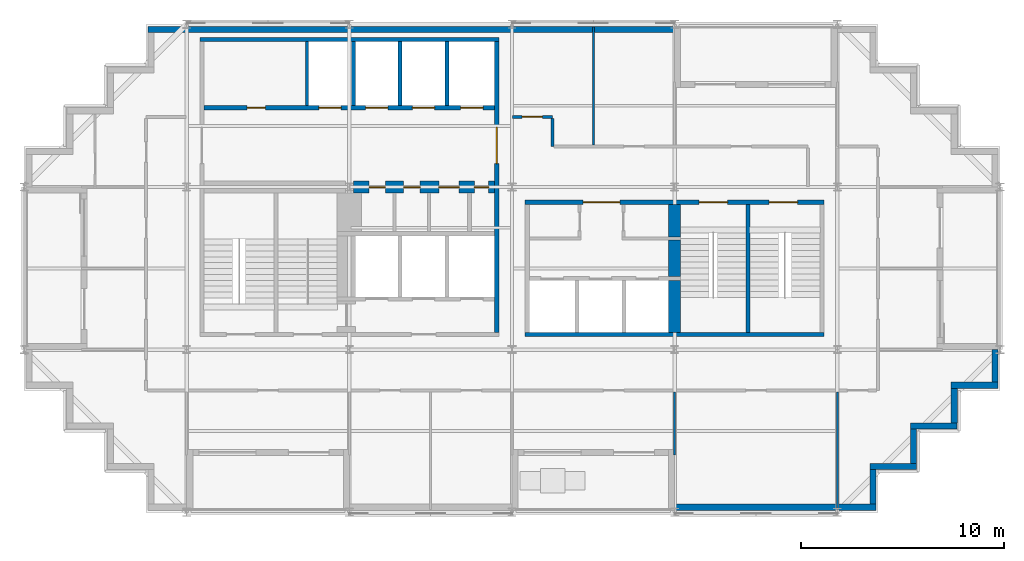
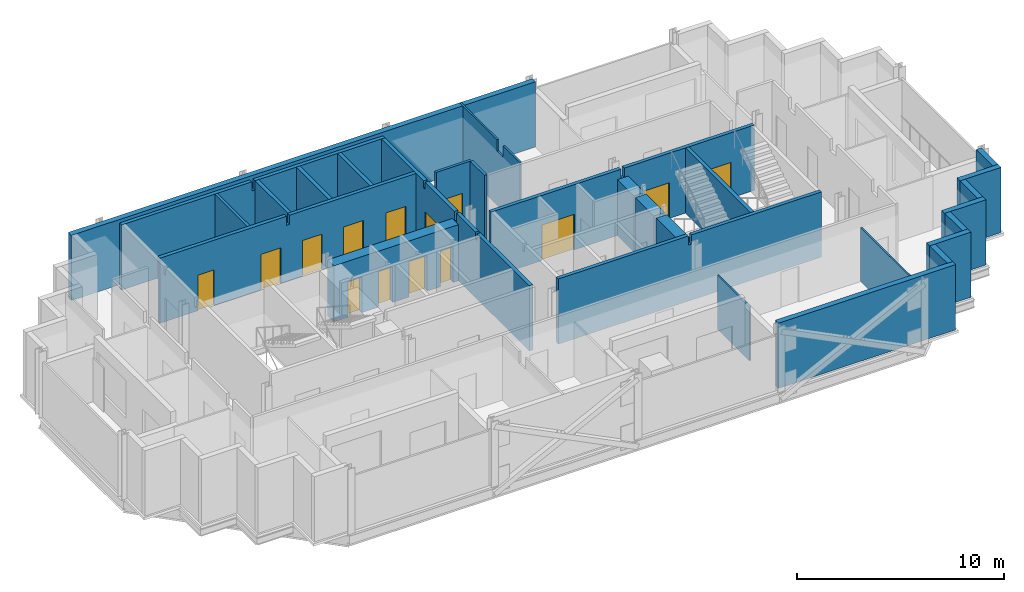
# One storey, part 6 of 10: 28 walls, 14 doors, 14 openings.
"""IFC4 building model written with IfcOpenShell, lengths in metres."""

import ifcopenshell
import ifcopenshell.guid

model = None  # the IFC model being written
_history = None  # IfcOwnerHistory: only IFC2X3 demands one
_inside = {}  # id of a spatial element -> (the spatial element, [elements in it])
_under = {}  # id of a project, library or spatial element -> (it, [spatial elements below it])
_declared = {}  # id of a project -> (the project, [libraries it declares])
_typed = {}  # id of a type object -> (the type object, [elements of that type])
_made_of = {}  # id of a material, layer set ... -> (it, [elements and type objects made of it])


def new_model(schema):
    """Start an empty IFC model of exactly this schema.

    Asked for "IFC4X3", IfcOpenShell would pick the latest addendum, in which some entities
    have other attributes; the version numbers below select the first issue.
    IFC2X3 requires an IfcOwnerHistory on every rooted entity: one is made here for all.
    """
    global model, _history
    if schema == "IFC4X3":
        model = ifcopenshell.file(schema_version=(4, 3, 0, 0))
    else:
        model = ifcopenshell.file(schema=schema)
    _inside.clear()
    _under.clear()
    _declared.clear()
    _typed.clear()
    _made_of.clear()
    _history = None
    if model.schema == "IFC2X3":
        org = make("IfcOrganization", Name="unknown")
        user = make(
            "IfcPersonAndOrganization",
            ThePerson=make("IfcPerson", FamilyName="unknown"),
            TheOrganization=org,
        )
        app = make(
            "IfcApplication",
            ApplicationDeveloper=org,
            Version="unknown",
            ApplicationFullName="unknown",
            ApplicationIdentifier="unknown",
        )
        _history = make(
            "IfcOwnerHistory",
            OwningUser=user,
            OwningApplication=app,
            ChangeAction="ADDED",
            CreationDate=0,
        )
    return model


def make(cls, **values):
    """One entity of the class cls with the attributes given. An attribute that is None is left unset."""
    return model.create_entity(
        cls, **{name: value for name, value in values.items() if value is not None}
    )


def rooted(cls, **values):
    """An entity with a GlobalId (a new one), such as an element, a storey or a relation."""
    return make(cls, GlobalId=ifcopenshell.guid.new(), OwnerHistory=_history, **values)


def si_unit(unit_type, name, prefix=None):
    """IfcSIUnit, for example si_unit("LENGTHUNIT", "METRE", prefix="MILLI")."""
    return make("IfcSIUnit", UnitType=unit_type, Prefix=prefix, Name=name)


def assignment(units):
    """IfcUnitAssignment: the units of a project."""
    return None if units is None else make("IfcUnitAssignment", Units=units)


def point(xyz):
    """IfcCartesianPoint."""
    return None if xyz is None else make("IfcCartesianPoint", Coordinates=xyz)


def direction(xyz):
    """IfcDirection."""
    return None if xyz is None else make("IfcDirection", DirectionRatios=xyz)


def frame(location, z_axis=None, x_axis=None):
    """IfcAxis2Placement3D, a coordinate frame: its origin and axes. An axis left out is left unset."""
    return make(
        "IfcAxis2Placement3D",
        Location=point(location),
        Axis=direction(z_axis),
        RefDirection=direction(x_axis),
    )


def frame_2d(location, x_axis=None):
    """IfcAxis2Placement2D, a coordinate frame in the plane: its origin and x axis."""
    return make(
        "IfcAxis2Placement2D", Location=point(location), RefDirection=direction(x_axis)
    )


def origin():
    """The frame at (0, 0, 0) with its axes left unset."""
    return frame((0.0, 0.0, 0.0))


def place(relative_to, where):
    """IfcLocalPlacement: puts the frame where relative to a parent placement (None: the world)."""
    return make(
        "IfcLocalPlacement", PlacementRelTo=relative_to, RelativePlacement=where
    )


def context(
    kind, dimensions, precision=None, world=None, true_north=None, identifier=None
):
    """IfcGeometricRepresentationContext, for example the 3D "Model" context."""
    return make(
        "IfcGeometricRepresentationContext",
        ContextIdentifier=identifier,
        ContextType=kind,
        CoordinateSpaceDimension=dimensions,
        Precision=precision,
        WorldCoordinateSystem=world,
        TrueNorth=true_north,
    )


def subcontext(parent, identifier, kind, view, scale=None):
    """IfcGeometricRepresentationSubContext, for example "Body" below "Model"."""
    return make(
        "IfcGeometricRepresentationSubContext",
        ContextIdentifier=identifier,
        ContextType=kind,
        ParentContext=parent,
        TargetScale=scale,
        TargetView=view,
    )


def project(units=None, contexts=None):
    """IfcProject with its units and contexts."""
    return rooted(
        "IfcProject",
        Name="project",
        RepresentationContexts=contexts,
        UnitsInContext=assignment(units),
    )


def spatial(cls, under=None, at=None, **own):
    """A site, building, storey or space (cls), placed at a placement, below another one or the project."""
    s = rooted(cls, ObjectPlacement=at, **own)
    if under is not None:
        _under.setdefault(under.id(), (under, []))[1].append(s)
    return s


def polyline(points):
    """IfcPolyline through the points."""
    return make("IfcPolyline", Points=[point(p) for p in points])


def profile(cls, at=None, kind="AREA", **sizes):
    """A parametric profile (cls). Its sizes go by their IFC names, for example OverallWidth=200.0."""
    return make(cls, ProfileType=kind, Position=at, **sizes)


def rectangle(**sizes):
    """IfcRectangleProfileDef."""
    return profile("IfcRectangleProfileDef", **sizes)


def outline(outer, holes=None, kind="AREA"):
    """IfcArbitraryClosedProfileDef: a profile drawn as a closed curve; with holes, ...WithVoids."""
    if holes is None:
        return make("IfcArbitraryClosedProfileDef", ProfileType=kind, OuterCurve=outer)
    return make(
        "IfcArbitraryProfileDefWithVoids",
        ProfileType=kind,
        OuterCurve=outer,
        InnerCurves=holes,
    )


def extrude(swept, where, along, depth):
    """IfcExtrudedAreaSolid: the profile swept, set in the frame where, extruded along a direction by depth."""
    return make(
        "IfcExtrudedAreaSolid",
        SweptArea=swept,
        Position=where,
        ExtrudedDirection=direction(along),
        Depth=depth,
    )


def shape(context_of_items, identifier, shape_type, items):
    """IfcShapeRepresentation: the items that make up one representation, for example the "Body"."""
    return make(
        "IfcShapeRepresentation",
        ContextOfItems=context_of_items,
        RepresentationIdentifier=identifier,
        RepresentationType=shape_type,
        Items=items,
    )


def material(Name=None, Category=None):
    """IfcMaterial."""
    return make("IfcMaterial", Name=Name, Category=Category)


def layer(
    of_material, thickness, ventilated=None, Name=None, Category=None, Priority=None
):
    """IfcMaterialLayer: one layer of a wall or slab, of a material (None: an air gap)."""
    return make(
        "IfcMaterialLayer",
        Material=of_material,
        LayerThickness=thickness,
        IsVentilated=ventilated,
        Name=Name,
        Category=Category,
        Priority=Priority,
    )


def layer_set(layers, Name=None):
    """IfcMaterialLayerSet."""
    return make("IfcMaterialLayerSet", MaterialLayers=layers, LayerSetName=Name)


def made_of(thing, what):
    """Note that an element or type object is made of a material, layer set ...; save() writes the relation."""
    if what is not None:
        _made_of.setdefault(what.id(), (what, []))[1].append(thing)
    return thing


def type_object(cls, material=None, **own):
    """A type object (cls), such as IfcWallType, which elements share."""
    return made_of(rooted(cls, **own), material)


def element(
    cls,
    number,
    at=None,
    inside=None,
    cuts=None,
    type_object=None,
    material=None,
    context=None,
    identifier="Body",
    shape_type=None,
    held_by="IfcProductDefinitionShape",
    body=None,
    shapes=None,
    **own,
):
    """One element of the class cls, such as IfcWall. Its Tag is "e" and its number.

    at: its placement. inside: the storey or other place that contains it. cuts: it is an
    opening in that element (IfcRelVoidsElement). A single representation is given by context,
    identifier, shape_type and body (its items); several are given by shapes. held_by: the class
    of the entity that holds the representations. save() writes the other relations.
    """
    e = rooted(cls, Tag="e%d" % number, ObjectPlacement=at, **own)
    if body is not None:
        shapes = [shape(context, identifier, shape_type, body)]
    if shapes is not None:
        e.Representation = make(held_by, Representations=shapes)
    if inside is not None:
        _inside.setdefault(inside.id(), (inside, []))[1].append(e)
    if cuts is not None:
        rooted(
            "IfcRelVoidsElement", RelatingBuildingElement=cuts, RelatedOpeningElement=e
        )
    if type_object is not None:
        _typed.setdefault(type_object.id(), (type_object, []))[1].append(e)
    return made_of(e, material)


def fill(opening, filler):
    """IfcRelFillsElement: the door or window that sits in an opening."""
    return rooted(
        "IfcRelFillsElement",
        RelatingOpeningElement=opening,
        RelatedBuildingElement=filler,
    )


def aggregate(whole, parts):
    """IfcRelAggregates: a whole, such as a stair, and the parts it consists of."""
    return rooted("IfcRelAggregates", RelatingObject=whole, RelatedObjects=parts)


def save(model, path):
    """Write the relations noted so far, then the file.

    IfcRelAggregates (storeys below a building ...), IfcRelContainedInSpatialStructure (elements
    in a storey), IfcRelDefinesByType, IfcRelAssociatesMaterial and IfcRelDeclares: one each for
    every whole, place, type object, material and project.
    """
    for whole, parts in _under.values():
        aggregate(whole, parts)
    for where, things in _inside.values():
        rooted(
            "IfcRelContainedInSpatialStructure",
            RelatedElements=things,
            RelatingStructure=where,
        )
    for kind, things in _typed.values():
        rooted("IfcRelDefinesByType", RelatedObjects=things, RelatingType=kind)
    for what, things in _made_of.values():
        rooted("IfcRelAssociatesMaterial", RelatedObjects=things, RelatingMaterial=what)
    for by, libraries in _declared.values():
        rooted("IfcRelDeclares", RelatingContext=by, RelatedDefinitions=libraries)
    model.write(path)


model = new_model("IFC4")

# Units and contexts
model_context = context("Model", 3, precision=1e-05, world=origin(), true_north=direction((0.0, 1.0)))
body_context = subcontext(model_context, "Body", "Model", "MODEL_VIEW")
ifc_project = project(units=[si_unit("LENGTHUNIT", "METRE"), si_unit("AREAUNIT", "SQUARE_METRE"), si_unit("VOLUMEUNIT", "CUBIC_METRE"), si_unit("PLANEANGLEUNIT", "RADIAN"), si_unit("MASSUNIT", "GRAM", prefix="KILO")], contexts=[model_context])

# Site, building, storey
site_placement = place(None, origin())
site = spatial("IfcSite", under=ifc_project, at=site_placement, CompositionType="ELEMENT")
building_placement = place(site_placement, origin())
building = spatial("IfcBuilding", under=site, at=building_placement, Name="Immortelle Media Tower", CompositionType="ELEMENT")
storey_placement = place(building_placement, frame((0.0, 0.0, 221.0)))
storey = spatial("IfcBuildingStorey", under=building, at=storey_placement, Name="L47", CompositionType="ELEMENT", Elevation=221.0)

# Wall, openings, doors
ifc_material_1 = material(Name="Fire-rated masonry blockwork", Category="masonry")
ifc_layer_1 = layer(ifc_material_1, 0.60009765625)
ifc_layer_set_1 = layer_set([ifc_layer_1], Name="Fire-rated masonry blockwork")
wall_type_1 = type_object("IfcWallType", Name="Core grid-line wall 600", PredefinedType="PARTITIONING", material=ifc_layer_set_1)
wall_1_placement = place(storey_placement, frame((16.196533203125, 16.0, 0.0), z_axis=(0.0, 0.0, 1.0), x_axis=(1.0, 0.0, 0.0)))
wall_1 = element("IfcWall", 1, at=wall_1_placement, inside=storey, type_object=wall_type_1, Name="Core grid-line wall SW", PredefinedType="PARTITIONING", context=body_context, shape_type="SweptSolid", body=[
    extrude(rectangle(XDim=6.953369140625, YDim=0.60009765625, at=frame_2d((3.4765625, 0.0))), origin(), (0.0, 0.0, 1.0), 3.30810546875),
])
opening_1_placement = place(wall_1_placement, frame((1.57861328125, 0.0, 0.0), z_axis=(0.0, 0.0, 1.0), x_axis=(-1.0, 0.0, 0.0)))
opening_1 = element("IfcOpeningElement", 2, at=opening_1_placement, cuts=wall_1, Name="Opening O4-K027", PredefinedType="OPENING", context=body_context, shape_type="SweptSolid", body=[
    extrude(rectangle(XDim=0.800048828125, YDim=2.10009765625, at=frame_2d((0.39990234375, 1.050048828125))), frame((0.0, 0.31005859375, 0.0), z_axis=(0.0, -1.0, 0.0), x_axis=(1.0, 0.0, 0.0)), (0.0, 0.0, 1.0), 0.6201171875),
])
opening_2_placement = place(wall_1_placement, frame((3.278564453125, 0.0, 0.0), z_axis=(0.0, 0.0, 1.0), x_axis=(-1.0, 0.0, 0.0)))
opening_2 = element("IfcOpeningElement", 3, at=opening_2_placement, cuts=wall_1, Name="Opening O4-K028", PredefinedType="OPENING", context=body_context, shape_type="SweptSolid", body=[
    extrude(rectangle(XDim=0.800048828125, YDim=2.10009765625, at=frame_2d((0.39990234375, 1.050048828125))), frame((0.0, 0.31005859375, 0.0), z_axis=(0.0, -1.0, 0.0), x_axis=(1.0, 0.0, 0.0)), (0.0, 0.0, 1.0), 0.6201171875),
])
opening_3_placement = place(wall_1_placement, frame((5.20361328125, 0.0, 0.0), z_axis=(0.0, 0.0, 1.0), x_axis=(-1.0, 0.0, 0.0)))
opening_3 = element("IfcOpeningElement", 4, at=opening_3_placement, cuts=wall_1, Name="Opening O4-K029", PredefinedType="OPENING", context=body_context, shape_type="SweptSolid", body=[
    extrude(rectangle(XDim=1.0, YDim=2.10009765625, at=frame_2d((0.5, 1.050048828125))), frame((0.0, 0.31005859375, 0.0), z_axis=(0.0, -1.0, 0.0), x_axis=(1.0, 0.0, 0.0)), (0.0, 0.0, 1.0), 0.6201171875),
])
opening_4_placement = place(wall_1_placement, frame((6.653564453125, 0.0, 0.0), z_axis=(0.0, 0.0, 1.0), x_axis=(-1.0, 0.0, 0.0)))
opening_4 = element("IfcOpeningElement", 5, at=opening_4_placement, cuts=wall_1, Name="Opening O4-K018", PredefinedType="OPENING", context=body_context, shape_type="SweptSolid", body=[
    extrude(rectangle(XDim=0.699951171875, YDim=2.10009765625, at=frame_2d((0.35009765625, 1.050048828125))), frame((0.0, 0.31005859375, 0.0), z_axis=(0.0, -1.0, 0.0), x_axis=(1.0, 0.0, 0.0)), (0.0, 0.0, 1.0), 0.6201171875),
])
ifc_material_2 = material(Name="Timber", Category="wood")
door_type_1 = type_object("IfcDoorType", Name="Accessible toilet door 1000 x 2100", OperationType="NOTDEFINED", PredefinedType="NOTDEFINED", material=ifc_material_2)
door_1_placement = place(opening_3_placement, origin())
door_1 = element("IfcDoor", 6, at=door_1_placement, inside=storey, type_object=door_type_1, Name="Accessible toilet O4-K029", OperationType="SINGLE_SWING_LEFT", OverallHeight=2.10009765625, OverallWidth=1.0, PredefinedType="NOTDEFINED", context=body_context, shape_type="SweptSolid", body=[
    extrude(rectangle(XDim=1.0, YDim=2.10009765625, at=frame_2d((0.5, 1.050048828125))), frame((0.0, 0.02490234375, 0.0), z_axis=(0.0, -1.0, 0.0), x_axis=(1.0, 0.0, 0.0)), (0.0, 0.0, 1.0), 0.050048828125),
])
fill(opening_3, door_1)
ifc_material_3 = material(Name="Galvanised steel door leaf and frame ASTM A653", Category="steel")
door_type_2 = type_object("IfcDoorType", Name="Service door 700 x 2100", OperationType="NOTDEFINED", PredefinedType="NOTDEFINED", material=ifc_material_3)
door_2_placement = place(opening_4_placement, origin())
door_2 = element("IfcDoor", 7, at=door_2_placement, inside=storey, type_object=door_type_2, Name="Service O4-K018", OperationType="SINGLE_SWING_RIGHT", OverallHeight=2.10009765625, OverallWidth=0.699951171875, PredefinedType="NOTDEFINED", context=body_context, shape_type="SweptSolid", body=[
    extrude(rectangle(XDim=0.699951171875, YDim=2.10009765625, at=frame_2d((0.35009765625, 1.050048828125))), frame((0.0, 0.02490234375, 0.0), z_axis=(0.0, -1.0, 0.0), x_axis=(1.0, 0.0, 0.0)), (0.0, 0.0, 1.0), 0.050048828125),
])
fill(opening_4, door_2)
door_type_3 = type_object("IfcDoorType", Name="Toilet door 800 x 2100", OperationType="NOTDEFINED", PredefinedType="NOTDEFINED", material=ifc_material_2)
door_3_placement = place(opening_1_placement, origin())
door_3 = element("IfcDoor", 8, at=door_3_placement, inside=storey, type_object=door_type_3, Name="Toilet O4-K027", OperationType="SINGLE_SWING_RIGHT", OverallHeight=2.10009765625, OverallWidth=0.800048828125, PredefinedType="NOTDEFINED", context=body_context, shape_type="SweptSolid", body=[
    extrude(rectangle(XDim=0.800048828125, YDim=2.10009765625, at=frame_2d((0.39990234375, 1.050048828125))), frame((0.0, 0.02490234375, 0.0), z_axis=(0.0, -1.0, 0.0), x_axis=(1.0, 0.0, 0.0)), (0.0, 0.0, 1.0), 0.050048828125),
])
fill(opening_1, door_3)
door_4_placement = place(opening_2_placement, origin())
door_4 = element("IfcDoor", 9, at=door_4_placement, inside=storey, type_object=door_type_3, Name="Toilet O4-K028", OperationType="SINGLE_SWING_RIGHT", OverallHeight=2.10009765625, OverallWidth=0.800048828125, PredefinedType="NOTDEFINED", context=body_context, shape_type="SweptSolid", body=[
    extrude(rectangle(XDim=0.800048828125, YDim=2.10009765625, at=frame_2d((0.39990234375, 1.050048828125))), frame((0.0, 0.02490234375, 0.0), z_axis=(0.0, -1.0, 0.0), x_axis=(1.0, 0.0, 0.0)), (0.0, 0.0, 1.0), 0.050048828125),
])
fill(opening_2, door_4)

# Walls
ifc_material_4 = material(Name="Fire-rated gypsum board", Category="gypsum")
ifc_layer_2 = layer(ifc_material_4, 0.02490234375)
ifc_material_5 = material(Name="Steel ASTM A653 SS Gr 50 stud frame with mineral wool", Category="steel")
ifc_layer_3 = layer(ifc_material_5, 0.10009765625)
ifc_layer_4 = layer(ifc_material_4, 0.02490234375)
ifc_layer_set_2 = layer_set([ifc_layer_2, ifc_layer_3, ifc_layer_4], Name="Steel ASTM A653 SS Gr 50 stud frame with mineral wool")
wall_type_2 = type_object("IfcWallType", Name="Core partition 150", PredefinedType="PARTITIONING", material=ifc_layer_set_2)
wall_2_placement = place(storey_placement, frame((13.925048828125, 20.0, 0.0), z_axis=(0.0, 0.0, 1.0), x_axis=(0.0, 1.0, 0.0)))
element("IfcWall", 10, at=wall_2_placement, inside=storey, type_object=wall_type_2, Name="Core partition SW", PredefinedType="PARTITIONING", context=body_context, shape_type="SweptSolid", body=[
    extrude(rectangle(XDim=3.14990234375, YDim=0.14990234375, at=frame_2d((1.574951171875, 0.0))), origin(), (0.0, 0.0, 1.0), 3.85009765625),
])
ifc_layer_5 = layer(ifc_material_4, 0.03759765625)
ifc_layer_6 = layer(ifc_material_5, 0.125)
ifc_layer_7 = layer(ifc_material_4, 0.03759765625)
ifc_layer_set_3 = layer_set([ifc_layer_5, ifc_layer_6, ifc_layer_7], Name="Steel ASTM A653 SS Gr 50 stud frame with mineral wool")
wall_type_3 = type_object("IfcWallType", Name="Core shaft wall 200", PredefinedType="PARTITIONING", material=ifc_layer_set_3)
wall_3_placement = place(storey_placement, frame((8.64990234375, 23.25, 0.0), z_axis=(0.0, 0.0, 1.0), x_axis=(1.0, 0.0, 0.0)))
element("IfcWall", 11, at=wall_3_placement, inside=storey, type_object=wall_type_3, Name="Core shaft wall SW", PredefinedType="PARTITIONING", context=body_context, shape_type="SweptSolid", body=[
    extrude(outline(polyline([(0.0, 0.0), (14.7001953125, 0.0), (14.699951171875, 3.85009765625), (7.4384765625, 3.85009765625), (7.4375, 3.30810546875), (7.262451171875, 3.30810546875), (7.261474609375, 3.85009765625), (0.0, 3.85009765625), (0.0, 0.0)])), frame((0.0, 0.10009765625, 0.0), z_axis=(0.0, -1.0, 0.0), x_axis=(1.0, 0.0, 0.0)), (0.0, 0.0, 1.0), 0.199951171875),
])

# Wall, openings, doors
wall_4_placement = place(storey_placement, frame((8.85009765625, 19.89990234375, 0.0), z_axis=(0.0, 0.0, 1.0), x_axis=(1.0, 0.0, 0.0)))
wall_4 = element("IfcWall", 12, at=wall_4_placement, inside=storey, type_object=wall_type_3, Name="Core shaft wall SW", PredefinedType="PARTITIONING", context=body_context, shape_type="SweptSolid", body=[
    extrude(outline(polyline([(0.0, 0.0), (14.2998046875, 0.0), (14.300048828125, 3.85009765625), (7.238525390625, 3.85009765625), (7.237548828125, 3.30810546875), (7.0625, 3.30810546875), (7.0615234375, 3.85009765625), (0.0, 3.85009765625), (0.0, 0.0)])), frame((0.0, 0.10009765625, 0.0), z_axis=(0.0, -1.0, 0.0), x_axis=(1.0, 0.0, 0.0)), (0.0, 0.0, 1.0), 0.199951171875),
])
opening_5_placement = place(wall_4_placement, frame((2.125, 0.0, 0.0)))
opening_5 = element("IfcOpeningElement", 13, at=opening_5_placement, cuts=wall_4, Name="Opening O4-K003", PredefinedType="OPENING", context=body_context, shape_type="SweptSolid", body=[
    extrude(rectangle(XDim=0.89990234375, YDim=2.10009765625, at=frame_2d((0.449951171875, 1.050048828125))), frame((0.0, 0.10986328125, 0.0), z_axis=(0.0, -1.0, 0.0), x_axis=(1.0, 0.0, 0.0)), (0.0, 0.0, 1.0), 0.219970703125),
])
opening_6_placement = place(wall_4_placement, frame((5.64990234375, 0.0, 0.0)))
opening_6 = element("IfcOpeningElement", 14, at=opening_6_placement, cuts=wall_4, Name="Opening LD", PredefinedType="OPENING", context=body_context, shape_type="SweptSolid", body=[
    extrude(rectangle(XDim=1.10009765625, YDim=2.10009765625, at=frame_2d((0.550048828125, 1.050048828125))), frame((0.0, 0.10986328125, 0.0), z_axis=(0.0, -1.0, 0.0), x_axis=(1.0, 0.0, 0.0)), (0.0, 0.0, 1.0), 0.219970703125),
])
opening_7_placement = place(wall_4_placement, frame((7.949951171875, 0.0, 0.0)))
opening_7 = element("IfcOpeningElement", 15, at=opening_7_placement, cuts=wall_4, Name="Opening LD", PredefinedType="OPENING", context=body_context, shape_type="SweptSolid", body=[
    extrude(rectangle(XDim=1.10009765625, YDim=2.10009765625, at=frame_2d((0.550048828125, 1.050048828125))), frame((0.0, 0.10986328125, 0.0), z_axis=(0.0, -1.0, 0.0), x_axis=(1.0, 0.0, 0.0)), (0.0, 0.0, 1.0), 0.219970703125),
])
opening_8_placement = place(wall_4_placement, frame((10.25, 0.0, 0.0)))
opening_8 = element("IfcOpeningElement", 16, at=opening_8_placement, cuts=wall_4, Name="Opening LD", PredefinedType="OPENING", context=body_context, shape_type="SweptSolid", body=[
    extrude(rectangle(XDim=1.10009765625, YDim=2.10009765625, at=frame_2d((0.550048828125, 1.050048828125))), frame((0.0, 0.10986328125, 0.0), z_axis=(0.0, -1.0, 0.0), x_axis=(1.0, 0.0, 0.0)), (0.0, 0.0, 1.0), 0.219970703125),
])
opening_9_placement = place(wall_4_placement, frame((12.625, 0.0, 0.0)))
opening_9 = element("IfcOpeningElement", 17, at=opening_9_placement, cuts=wall_4, Name="Opening LD", PredefinedType="OPENING", context=body_context, shape_type="SweptSolid", body=[
    extrude(rectangle(XDim=1.10009765625, YDim=2.10009765625, at=frame_2d((0.550048828125, 1.050048828125))), frame((0.0, 0.10986328125, 0.0), z_axis=(0.0, -1.0, 0.0), x_axis=(1.0, 0.0, 0.0)), (0.0, 0.0, 1.0), 0.219970703125),
])
ifc_material_6 = material(Name="Stainless steel AISI 304", Category="steel")
door_type_4 = type_object("IfcDoorType", Name="Landing door 1100 x 2100", OperationType="SLIDING_TO_LEFT", PredefinedType="NOTDEFINED", material=ifc_material_6)
door_5_placement = place(opening_6_placement, origin())
door_5 = element("IfcDoor", 18, at=door_5_placement, inside=storey, type_object=door_type_4, Name="Landing door HR1 L47", OperationType="SLIDING_TO_LEFT", OverallHeight=2.10009765625, OverallWidth=1.10009765625, PredefinedType="NOTDEFINED", context=body_context, shape_type="SweptSolid", body=[
    extrude(rectangle(XDim=1.10009765625, YDim=2.10009765625, at=frame_2d((0.550048828125, 1.050048828125))), frame((0.0, 0.02490234375, 0.0), z_axis=(0.0, -1.0, 0.0), x_axis=(1.0, 0.0, 0.0)), (0.0, 0.0, 1.0), 0.050048828125),
])
fill(opening_6, door_5)
door_6_placement = place(opening_7_placement, origin())
door_6 = element("IfcDoor", 19, at=door_6_placement, inside=storey, type_object=door_type_4, Name="Landing door HR2 L47", OperationType="SLIDING_TO_LEFT", OverallHeight=2.10009765625, OverallWidth=1.10009765625, PredefinedType="NOTDEFINED", context=body_context, shape_type="SweptSolid", body=[
    extrude(rectangle(XDim=1.10009765625, YDim=2.10009765625, at=frame_2d((0.550048828125, 1.050048828125))), frame((0.0, 0.02490234375, 0.0), z_axis=(0.0, -1.0, 0.0), x_axis=(1.0, 0.0, 0.0)), (0.0, 0.0, 1.0), 0.050048828125),
])
fill(opening_7, door_6)
door_7_placement = place(opening_8_placement, origin())
door_7 = element("IfcDoor", 20, at=door_7_placement, inside=storey, type_object=door_type_4, Name="Landing door HR3 L47", OperationType="SLIDING_TO_LEFT", OverallHeight=2.10009765625, OverallWidth=1.10009765625, PredefinedType="NOTDEFINED", context=body_context, shape_type="SweptSolid", body=[
    extrude(rectangle(XDim=1.10009765625, YDim=2.10009765625, at=frame_2d((0.550048828125, 1.050048828125))), frame((0.0, 0.02490234375, 0.0), z_axis=(0.0, -1.0, 0.0), x_axis=(1.0, 0.0, 0.0)), (0.0, 0.0, 1.0), 0.050048828125),
])
fill(opening_8, door_7)
door_8_placement = place(opening_9_placement, origin())
door_8 = element("IfcDoor", 21, at=door_8_placement, inside=storey, type_object=door_type_4, Name="Landing door HR4 L47", OperationType="SLIDING_TO_LEFT", OverallHeight=2.10009765625, OverallWidth=1.10009765625, PredefinedType="NOTDEFINED", context=body_context, shape_type="SweptSolid", body=[
    extrude(rectangle(XDim=1.10009765625, YDim=2.10009765625, at=frame_2d((0.550048828125, 1.050048828125))), frame((0.0, 0.02490234375, 0.0), z_axis=(0.0, -1.0, 0.0), x_axis=(1.0, 0.0, 0.0)), (0.0, 0.0, 1.0), 0.050048828125),
])
fill(opening_9, door_8)
door_type_5 = type_object("IfcDoorType", Name="Room door 900 x 2100", OperationType="NOTDEFINED", PredefinedType="NOTDEFINED", material=ifc_material_2)
door_9_placement = place(opening_5_placement, origin())
door_9 = element("IfcDoor", 22, at=door_9_placement, inside=storey, type_object=door_type_5, Name="Room O4-K003", OperationType="SINGLE_SWING_LEFT", OverallHeight=2.10009765625, OverallWidth=0.89990234375, PredefinedType="NOTDEFINED", context=body_context, shape_type="SweptSolid", body=[
    extrude(rectangle(XDim=0.89990234375, YDim=2.10009765625, at=frame_2d((0.449951171875, 1.050048828125))), frame((0.0, 0.02490234375, 0.0), z_axis=(0.0, -1.0, 0.0), x_axis=(1.0, 0.0, 0.0)), (0.0, 0.0, 1.0), 0.050048828125),
])
fill(opening_5, door_9)

# Walls
for number, where, z_axis, x_axis, name in (
    (23, (16.199951171875, 20.0, 0.0), (0.0, 0.0, 1.0), (0.0, 1.0, 0.0), "Core shaft wall SW"),
    (24, (18.5, 20.0, 0.0), (0.0, 0.0, 1.0), (0.0, 1.0, 0.0), "Core shaft wall SW"),
    (25, (20.800048828125, 20.0, 0.0), (0.0, 0.0, 1.0), (0.0, 1.0, 0.0), "Core shaft wall SW"),
):
    element("IfcWall", number, at=place(storey_placement, frame(where, z_axis=z_axis, x_axis=x_axis)), inside=storey, type_object=wall_type_3, Name=name, PredefinedType="PARTITIONING", context=body_context, shape_type="SweptSolid", body=[
        extrude(rectangle(XDim=3.14990234375, YDim=0.199951171875, at=frame_2d((1.574951171875, 0.0))), origin(), (0.0, 0.0, 1.0), 3.85009765625),
    ])

# Wall, opening, door
wall_5_placement = place(storey_placement, frame((23.25, 8.85009765625, 0.0), z_axis=(0.0, 0.0, 1.0), x_axis=(0.0, 1.0, 0.0)))
wall_5 = element("IfcWall", 26, at=wall_5_placement, inside=storey, type_object=wall_type_3, Name="Core shaft wall SW", PredefinedType="PARTITIONING", context=body_context, shape_type="SweptSolid", body=[
    extrude(outline(polyline([(0.0, 0.0), (14.2998046875, 0.0), (14.300048828125, 3.85009765625), (10.22509765625, 3.85009765625), (10.22412109375, 3.43994140625), (10.075927734375, 3.43994140625), (10.074951171875, 3.85009765625), (7.238525390625, 3.85009765625), (7.237548828125, 3.30810546875), (7.0625, 3.30810546875), (7.0615234375, 3.85009765625), (5.22509765625, 3.85009765625), (5.22412109375, 3.43994140625), (5.075927734375, 3.43994140625), (5.074951171875, 3.85009765625), (0.0, 3.85009765625), (0.0, 0.0)])), frame((0.0, 0.10009765625, 0.0), z_axis=(0.0, -1.0, 0.0), x_axis=(1.0, 0.0, 0.0)), (0.0, 0.0, 1.0), 0.199951171875),
])
opening_10_placement = place(wall_5_placement, frame((8.300048828125, 0.0, 0.0)))
opening_10 = element("IfcOpeningElement", 27, at=opening_10_placement, cuts=wall_5, Name="Opening O4-K019", PredefinedType="OPENING", context=body_context, shape_type="SweptSolid", body=[
    extrude(rectangle(XDim=1.800048828125, YDim=2.10009765625, at=frame_2d((0.89990234375, 1.050048828125))), frame((0.0, 0.10986328125, 0.0), z_axis=(0.0, -1.0, 0.0), x_axis=(1.0, 0.0, 0.0)), (0.0, 0.0, 1.0), 0.219970703125),
])
door_type_6 = type_object("IfcDoorType", Name="Lift lobby door 1800 x 2100", OperationType="DOUBLE_DOOR_SINGLE_SWING", PredefinedType="NOTDEFINED", material=ifc_material_3)
door_10_placement = place(opening_10_placement, origin())
door_10 = element("IfcDoor", 28, at=door_10_placement, inside=storey, type_object=door_type_6, Name="Lift lobby O4-K019", OperationType="DOUBLE_DOOR_SINGLE_SWING", OverallHeight=2.10009765625, OverallWidth=1.800048828125, PredefinedType="NOTDEFINED", context=body_context, shape_type="SweptSolid", body=[
    extrude(rectangle(XDim=1.800048828125, YDim=2.10009765625, at=frame_2d((0.89990234375, 1.050048828125))), frame((0.0, 0.02490234375, 0.0), z_axis=(0.0, -1.0, 0.0), x_axis=(1.0, 0.0, 0.0)), (0.0, 0.0, 1.0), 0.050048828125),
])
fill(opening_10, door_10)

# Wall
ifc_layer_8 = layer(ifc_material_4, 0.012451171875)
ifc_layer_9 = layer(ifc_material_5, 0.125)
ifc_layer_10 = layer(ifc_material_4, 0.012451171875)
ifc_layer_set_4 = layer_set([ifc_layer_8, ifc_layer_9, ifc_layer_10], Name="Steel ASTM A653 SS Gr 50 stud frame with mineral wool")
wall_type_4 = type_object("IfcWallType", Name="Corridor wall 150", PredefinedType="PARTITIONING", material=ifc_layer_set_4)
wall_6_placement = place(storey_placement, frame((26.0, 18.0, 0.0), z_axis=(0.0, 0.0, 1.0), x_axis=(0.0, 1.0, 0.0)))
element("IfcWall", 29, at=wall_6_placement, inside=storey, type_object=wall_type_4, Name="Partition L47-021", PredefinedType="PARTITIONING", context=body_context, shape_type="SweptSolid", body=[
    extrude(rectangle(XDim=1.375, YDim=0.14990234375, at=frame_2d((0.6875, 0.0))), origin(), (0.0, 0.0, 1.0), 3.85009765625),
])

# Wall, opening, door
wall_7_placement = place(storey_placement, frame((24.030029296875, 19.449951171875, 0.0), z_axis=(0.0, 0.0, 1.0), x_axis=(1.0, 0.0, 0.0)))
wall_7 = element("IfcWall", 30, at=wall_7_placement, inside=storey, type_object=wall_type_4, Name="Partition L47-027", PredefinedType="PARTITIONING", context=body_context, shape_type="SweptSolid", body=[
    extrude(rectangle(XDim=1.969970703125, YDim=0.14990234375, at=frame_2d((0.98486328125, 0.0))), origin(), (0.0, 0.0, 1.0), 3.85009765625),
])
opening_11_placement = place(wall_7_placement, frame((0.469970703125, 0.0, 0.0)))
opening_11 = element("IfcOpeningElement", 31, at=opening_11_placement, cuts=wall_7, Name="Opening O4-F016", PredefinedType="OPENING", context=body_context, shape_type="SweptSolid", body=[
    extrude(rectangle(XDim=1.0, YDim=2.10009765625, at=frame_2d((0.5, 1.050048828125))), frame((0.0, 0.0849609375, 0.0), z_axis=(0.0, -1.0, 0.0), x_axis=(1.0, 0.0, 0.0)), (0.0, 0.0, 1.0), 0.169921875),
])
ifc_material_7 = material(Name="Timber veneered door leaf, galvanised steel frame ASTM A653", Category="steel")
door_type_7 = type_object("IfcDoorType", Name="Room door 1000 x 2100", OperationType="NOTDEFINED", PredefinedType="DOOR", material=ifc_material_7)
door_11_placement = place(opening_11_placement, origin())
door_11 = element("IfcDoor", 32, at=door_11_placement, inside=storey, type_object=door_type_7, Name="Door O4-F016", OperationType="SINGLE_SWING_LEFT", OverallHeight=2.10009765625, OverallWidth=1.0, PredefinedType="DOOR", context=body_context, shape_type="SweptSolid", body=[
    extrude(rectangle(XDim=1.0, YDim=2.10009765625, at=frame_2d((0.5, 1.050048828125))), frame((0.0, 0.02490234375, 0.0), z_axis=(0.0, -1.0, 0.0), x_axis=(1.0, 0.0, 0.0)), (0.0, 0.0, 1.0), 0.050048828125),
])
fill(opening_11, door_11)

# Walls
ifc_material_8 = material(Name="Pale aluminium cladding panel", Category="aluminium")
ifc_layer_11 = layer(ifc_material_8, 0.030029296875)
ifc_layer_12 = layer(ifc_material_5, 0.257568359375)
ifc_material_9 = material(Name="Moisture-resistant gypsum board", Category="gypsum")
ifc_layer_13 = layer(ifc_material_9, 0.012451171875)
ifc_layer_set_5 = layer_set([ifc_layer_11, ifc_layer_12, ifc_layer_13], Name="Steel ASTM A653 SS Gr 50 stud frame with mineral wool")
wall_type_5 = type_object("IfcWallType", Name="Facade wall 300", PredefinedType="SOLIDWALL", material=ifc_layer_set_5)
wall_8_placement = place(storey_placement, frame((32.0, 0.25, 0.0), z_axis=(0.0, 0.0, 1.0), x_axis=(1.0, 0.0, 0.0)))
element("IfcWall", 33, at=wall_8_placement, inside=storey, type_object=wall_type_5, Name="Facade wall L47 S6", PredefinedType="SOLIDWALL", context=body_context, shape_type="SweptSolid", body=[
    extrude(rectangle(XDim=9.89990234375, YDim=0.300048828125, at=frame_2d((4.949951171875, 0.0))), origin(), (0.0, 0.0, 1.0), 3.85009765625),
])
wall_9_placement = place(storey_placement, frame((41.75, 0.39990234375, 0.0), z_axis=(0.0, 0.0, 1.0), x_axis=(0.0, 1.0, 0.0)))
element("IfcWall", 34, at=wall_9_placement, inside=storey, type_object=wall_type_5, Name="Facade wall L47 E7", PredefinedType="SOLIDWALL", context=body_context, shape_type="SweptSolid", body=[
    extrude(rectangle(XDim=1.7001953125, YDim=0.300048828125, at=frame_2d((0.85009765625, 0.0))), origin(), (0.0, 0.0, 1.0), 3.85009765625),
])
wall_10_placement = place(storey_placement, frame((41.60009765625, 2.25, 0.0), z_axis=(0.0, 0.0, 1.0), x_axis=(1.0, 0.0, 0.0)))
element("IfcWall", 35, at=wall_10_placement, inside=storey, type_object=wall_type_5, Name="Facade wall L47 S8", PredefinedType="SOLIDWALL", context=body_context, shape_type="SweptSolid", body=[
    extrude(rectangle(XDim=2.2998046875, YDim=0.300048828125, at=frame_2d((1.14990234375, 0.0))), origin(), (0.0, 0.0, 1.0), 3.85009765625),
])
wall_11_placement = place(storey_placement, frame((43.75, 2.39990234375, 0.0), z_axis=(0.0, 0.0, 1.0), x_axis=(0.0, 1.0, 0.0)))
element("IfcWall", 36, at=wall_11_placement, inside=storey, type_object=wall_type_5, Name="Facade wall L47 E9", PredefinedType="SOLIDWALL", context=body_context, shape_type="SweptSolid", body=[
    extrude(rectangle(XDim=1.7001953125, YDim=0.300048828125, at=frame_2d((0.85009765625, 0.0))), origin(), (0.0, 0.0, 1.0), 3.85009765625),
])
wall_12_placement = place(storey_placement, frame((43.60009765625, 4.25, 0.0), z_axis=(0.0, 0.0, 1.0), x_axis=(1.0, 0.0, 0.0)))
element("IfcWall", 37, at=wall_12_placement, inside=storey, type_object=wall_type_5, Name="Facade wall L47 S10", PredefinedType="SOLIDWALL", context=body_context, shape_type="SweptSolid", body=[
    extrude(rectangle(XDim=2.2998046875, YDim=0.300048828125, at=frame_2d((1.14990234375, 0.0))), origin(), (0.0, 0.0, 1.0), 3.85009765625),
])
wall_13_placement = place(storey_placement, frame((45.75, 4.39990234375, 0.0), z_axis=(0.0, 0.0, 1.0), x_axis=(0.0, 1.0, 0.0)))
element("IfcWall", 38, at=wall_13_placement, inside=storey, type_object=wall_type_5, Name="Facade wall L47 E11", PredefinedType="SOLIDWALL", context=body_context, shape_type="SweptSolid", body=[
    extrude(rectangle(XDim=1.7001953125, YDim=0.300048828125, at=frame_2d((0.85009765625, 0.0))), origin(), (0.0, 0.0, 1.0), 3.85009765625),
])
wall_14_placement = place(storey_placement, frame((45.60009765625, 6.25, 0.0), z_axis=(0.0, 0.0, 1.0), x_axis=(1.0, 0.0, 0.0)))
element("IfcWall", 39, at=wall_14_placement, inside=storey, type_object=wall_type_5, Name="Facade wall L47 S12", PredefinedType="SOLIDWALL", context=body_context, shape_type="SweptSolid", body=[
    extrude(rectangle(XDim=2.2998046875, YDim=0.300048828125, at=frame_2d((1.14990234375, 0.0))), origin(), (0.0, 0.0, 1.0), 3.85009765625),
])
wall_15_placement = place(storey_placement, frame((47.75, 6.39990234375, 0.0), z_axis=(0.0, 0.0, 1.0), x_axis=(0.0, 1.0, 0.0)))
element("IfcWall", 40, at=wall_15_placement, inside=storey, type_object=wall_type_5, Name="Facade wall L47 E13", PredefinedType="SOLIDWALL", context=body_context, shape_type="SweptSolid", body=[
    extrude(rectangle(XDim=1.60009765625, YDim=0.300048828125, at=frame_2d((0.800048828125, 0.0))), origin(), (0.0, 0.0, 1.0), 3.85009765625),
])
wall_16_placement = place(storey_placement, frame((32.0, 23.75, 0.0), z_axis=(0.0, 0.0, 1.0), x_axis=(-1.0, 0.0, 0.0)))
element("IfcWall", 41, at=wall_16_placement, inside=storey, type_object=wall_type_5, Name="Facade wall L47 N20", PredefinedType="SOLIDWALL", context=body_context, shape_type="SweptSolid", body=[
    extrude(rectangle(XDim=25.89990234375, YDim=0.300048828125, at=frame_2d((12.949951171875, 0.0))), origin(), (0.0, 0.0, 1.0), 3.85009765625),
])
ifc_material_10 = material(Name="Gypsum board", Category="gypsum")
ifc_layer_14 = layer(ifc_material_10, 0.012451171875)
ifc_layer_15 = layer(ifc_material_5, 0.074951171875)
ifc_layer_16 = layer(ifc_material_10, 0.012451171875)
ifc_layer_set_6 = layer_set([ifc_layer_14, ifc_layer_15, ifc_layer_16], Name="Steel ASTM A653 SS Gr 50 stud frame with mineral wool")
wall_type_6 = type_object("IfcWallType", Name="Partition 100", PredefinedType="PARTITIONING", material=ifc_layer_set_6)
wall_17_placement = place(storey_placement, frame((40.0, 0.1298828125, 0.0), z_axis=(0.0, 0.0, 1.0), x_axis=(0.0, 1.0, 0.0)))
element("IfcWall", 42, at=wall_17_placement, inside=storey, type_object=wall_type_6, Name="Partition L47-002", PredefinedType="PARTITIONING", context=body_context, shape_type="SweptSolid", body=[
    extrude(rectangle(XDim=5.795166015625, YDim=0.10009765625, at=frame_2d((2.8974609375, 0.0))), origin(), (0.0, 0.0, 1.0), 3.172119140625),
])
wall_18_placement = place(storey_placement, frame((32.0, 2.830078125, 0.0), z_axis=(0.0, 0.0, 1.0), x_axis=(0.0, 1.0, 0.0)))
element("IfcWall", 43, at=wall_18_placement, inside=storey, type_object=wall_type_6, Name="Partition L47-006", PredefinedType="PARTITIONING", context=body_context, shape_type="SweptSolid", body=[
    extrude(rectangle(XDim=3.094970703125, YDim=0.10009765625, at=frame_2d((1.54736328125, 0.0))), origin(), (0.0, 0.0, 1.0), 3.172119140625),
])
wall_19_placement = place(storey_placement, frame((28.0, 18.074951171875, 0.0), z_axis=(0.0, 0.0, 1.0), x_axis=(0.0, 1.0, 0.0)))
element("IfcWall", 44, at=wall_19_placement, inside=storey, type_object=wall_type_6, Name="Partition L47-022", PredefinedType="PARTITIONING", context=body_context, shape_type="SweptSolid", body=[
    extrude(outline(polyline([(0.0, 0.0), (5.795166015625, 0.0), (5.794921875, 3.85009765625), (2.22509765625, 3.85009765625), (2.222900390625, 3.172119140625), (1.626953125, 3.172119140625), (1.625, 3.85009765625), (0.0, 3.85009765625), (0.0, 0.0)])), frame((0.0, 0.050048828125, 0.0), z_axis=(0.0, -1.0, 0.0), x_axis=(1.0, 0.0, 0.0)), (0.0, 0.0, 1.0), 0.10009765625),
])
ifc_material_11 = material(Name="Concrete C60", Category="concrete")
ifc_layer_17 = layer(ifc_material_11, 0.199951171875)
ifc_layer_set_7 = layer_set([ifc_layer_17], Name="Concrete C60")
wall_type_7 = type_object("IfcWallType", Name="Stair shaft wall 200", PredefinedType="PARTITIONING", material=ifc_layer_set_7)
wall_20_placement = place(storey_placement, frame((24.64990234375, 8.75, 0.0), z_axis=(0.0, 0.0, 1.0), x_axis=(1.0, 0.0, 0.0)))
element("IfcWall", 45, at=wall_20_placement, inside=storey, type_object=wall_type_7, Name="Stair shaft wall SE", PredefinedType="PARTITIONING", context=body_context, shape_type="SweptSolid", body=[
    extrude(outline(polyline([(0.0, 0.0), (14.7001953125, 0.0), (14.699951171875, 3.85009765625), (7.4384765625, 3.85009765625), (7.4375, 3.30810546875), (7.262451171875, 3.30810546875), (7.261474609375, 3.85009765625), (0.0, 3.85009765625), (0.0, 0.0)])), frame((0.0, 0.10009765625, 0.0), z_axis=(0.0, -1.0, 0.0), x_axis=(1.0, 0.0, 0.0)), (0.0, 0.0, 1.0), 0.199951171875),
])

# Wall, openings, doors
wall_21_placement = place(storey_placement, frame((24.64990234375, 15.25, 0.0), z_axis=(0.0, 0.0, 1.0), x_axis=(1.0, 0.0, 0.0)))
wall_21 = element("IfcWall", 46, at=wall_21_placement, inside=storey, type_object=wall_type_7, Name="Stair shaft wall SE", PredefinedType="PARTITIONING", context=body_context, shape_type="SweptSolid", body=[
    extrude(outline(polyline([(0.0, 0.0), (14.7001953125, 0.0), (14.699951171875, 3.85009765625), (7.4384765625, 3.85009765625), (7.4375, 3.30810546875), (7.262451171875, 3.30810546875), (7.261474609375, 3.85009765625), (0.0, 3.85009765625), (0.0, 0.0)])), frame((0.0, 0.10009765625, 0.0), z_axis=(0.0, -1.0, 0.0), x_axis=(1.0, 0.0, 0.0)), (0.0, 0.0, 1.0), 0.199951171875),
])
opening_12_placement = place(wall_21_placement, frame((2.85009765625, 0.0, 0.0)))
opening_12 = element("IfcOpeningElement", 47, at=opening_12_placement, cuts=wall_21, Name="Opening O4-K023", PredefinedType="OPENING", context=body_context, shape_type="SweptSolid", body=[
    extrude(rectangle(XDim=1.800048828125, YDim=2.10009765625, at=frame_2d((0.89990234375, 1.050048828125))), frame((0.0, 0.10986328125, 0.0), z_axis=(0.0, -1.0, 0.0), x_axis=(1.0, 0.0, 0.0)), (0.0, 0.0, 1.0), 0.219970703125),
])
opening_13_placement = place(wall_21_placement, frame((9.949951171875, 0.0, 0.0), z_axis=(0.0, 0.0, 1.0), x_axis=(-1.0, 0.0, 0.0)))
opening_13 = element("IfcOpeningElement", 48, at=opening_13_placement, cuts=wall_21, Name="Opening O4-K025", PredefinedType="OPENING", context=body_context, shape_type="SweptSolid", body=[
    extrude(rectangle(XDim=1.39990234375, YDim=2.10009765625, at=frame_2d((0.699951171875, 1.050048828125))), frame((0.0, 0.10986328125, 0.0), z_axis=(0.0, -1.0, 0.0), x_axis=(1.0, 0.0, 0.0)), (0.0, 0.0, 1.0), 0.219970703125),
])
opening_14_placement = place(wall_21_placement, frame((13.39990234375, 0.0, 0.0), z_axis=(0.0, 0.0, 1.0), x_axis=(-1.0, 0.0, 0.0)))
opening_14 = element("IfcOpeningElement", 49, at=opening_14_placement, cuts=wall_21, Name="Opening O4-K026", PredefinedType="OPENING", context=body_context, shape_type="SweptSolid", body=[
    extrude(rectangle(XDim=1.39990234375, YDim=2.10009765625, at=frame_2d((0.699951171875, 1.050048828125))), frame((0.0, 0.10986328125, 0.0), z_axis=(0.0, -1.0, 0.0), x_axis=(1.0, 0.0, 0.0)), (0.0, 0.0, 1.0), 0.219970703125),
])
door_12_placement = place(opening_12_placement, origin())
door_12 = element("IfcDoor", 50, at=door_12_placement, inside=storey, type_object=door_type_6, Name="Lift lobby O4-K023", OperationType="DOUBLE_DOOR_SINGLE_SWING", OverallHeight=2.10009765625, OverallWidth=1.800048828125, PredefinedType="NOTDEFINED", context=body_context, shape_type="SweptSolid", body=[
    extrude(rectangle(XDim=1.800048828125, YDim=2.10009765625, at=frame_2d((0.89990234375, 1.050048828125))), frame((0.0, 0.02490234375, 0.0), z_axis=(0.0, -1.0, 0.0), x_axis=(1.0, 0.0, 0.0)), (0.0, 0.0, 1.0), 0.050048828125),
])
fill(opening_12, door_12)
door_type_8 = type_object("IfcDoorType", Name="Stair door 1400 x 2100", OperationType="DOUBLE_DOOR_SINGLE_SWING", PredefinedType="NOTDEFINED", material=ifc_material_3)
door_13_placement = place(opening_13_placement, origin())
door_13 = element("IfcDoor", 51, at=door_13_placement, inside=storey, type_object=door_type_8, Name="Stair O4-K025", OperationType="DOUBLE_DOOR_SINGLE_SWING", OverallHeight=2.10009765625, OverallWidth=1.39990234375, PredefinedType="NOTDEFINED", context=body_context, shape_type="SweptSolid", body=[
    extrude(rectangle(XDim=1.39990234375, YDim=2.10009765625, at=frame_2d((0.699951171875, 1.050048828125))), frame((0.0, 0.02490234375, 0.0), z_axis=(0.0, -1.0, 0.0), x_axis=(1.0, 0.0, 0.0)), (0.0, 0.0, 1.0), 0.050048828125),
])
fill(opening_13, door_13)
door_14_placement = place(opening_14_placement, origin())
door_14 = element("IfcDoor", 52, at=door_14_placement, inside=storey, type_object=door_type_8, Name="Stair O4-K026", OperationType="DOUBLE_DOOR_SINGLE_SWING", OverallHeight=2.10009765625, OverallWidth=1.39990234375, PredefinedType="NOTDEFINED", context=body_context, shape_type="SweptSolid", body=[
    extrude(rectangle(XDim=1.39990234375, YDim=2.10009765625, at=frame_2d((0.699951171875, 1.050048828125))), frame((0.0, 0.02490234375, 0.0), z_axis=(0.0, -1.0, 0.0), x_axis=(1.0, 0.0, 0.0)), (0.0, 0.0, 1.0), 0.050048828125),
])
fill(opening_14, door_14)

# Walls
wall_22_placement = place(storey_placement, frame((35.60009765625, 8.85009765625, 0.0), z_axis=(0.0, 0.0, 1.0), x_axis=(0.0, 1.0, 0.0)))
element("IfcWall", 53, at=wall_22_placement, inside=storey, type_object=wall_type_7, Name="Stair shaft wall SE", PredefinedType="PARTITIONING", context=body_context, shape_type="SweptSolid", body=[
    extrude(rectangle(XDim=6.2998046875, YDim=0.199951171875, at=frame_2d((3.14990234375, 0.0))), origin(), (0.0, 0.0, 1.0), 3.85009765625),
])
ifc_layer_18 = layer(ifc_material_11, 0.60009765625)
ifc_layer_set_8 = layer_set([ifc_layer_18], Name="Concrete C60")
wall_type_8 = type_object("IfcWallType", Name="Stair shaft wall 600", PredefinedType="PARTITIONING", material=ifc_layer_set_8)
wall_23_placement = place(storey_placement, frame((32.0, 8.85009765625, 0.0), z_axis=(0.0, 0.0, 1.0), x_axis=(0.0, 1.0, 0.0)))
element("IfcWall", 54, at=wall_23_placement, inside=storey, type_object=wall_type_8, Name="Stair shaft wall SE", PredefinedType="PARTITIONING", context=body_context, shape_type="SweptSolid", body=[
    extrude(rectangle(XDim=2.5498046875, YDim=0.60009765625, at=frame_2d((1.27490234375, 0.0))), origin(), (0.0, 0.0, 1.0), 3.30810546875),
])
wall_24_placement = place(storey_placement, frame((32.0, 11.60009765625, 0.0), z_axis=(0.0, 0.0, 1.0), x_axis=(0.0, 1.0, 0.0)))
element("IfcWall", 55, at=wall_24_placement, inside=storey, type_object=wall_type_8, Name="Stair shaft wall SE", PredefinedType="PARTITIONING", context=body_context, shape_type="SweptSolid", body=[
    extrude(rectangle(XDim=1.7998046875, YDim=0.60009765625, at=frame_2d((0.89990234375, 0.0))), origin(), (0.0, 0.0, 1.0), 3.30810546875),
])
wall_25_placement = place(storey_placement, frame((32.0, 13.550048828125, 0.0), z_axis=(0.0, 0.0, 1.0), x_axis=(0.0, 1.0, 0.0)))
element("IfcWall", 56, at=wall_25_placement, inside=storey, type_object=wall_type_8, Name="Stair shaft wall SE", PredefinedType="PARTITIONING", context=body_context, shape_type="SweptSolid", body=[
    extrude(rectangle(XDim=1.599853515625, YDim=0.60009765625, at=frame_2d((0.7998046875, 0.0))), origin(), (0.0, 0.0, 1.0), 3.30810546875),
])

save(model, "model.ifc")
